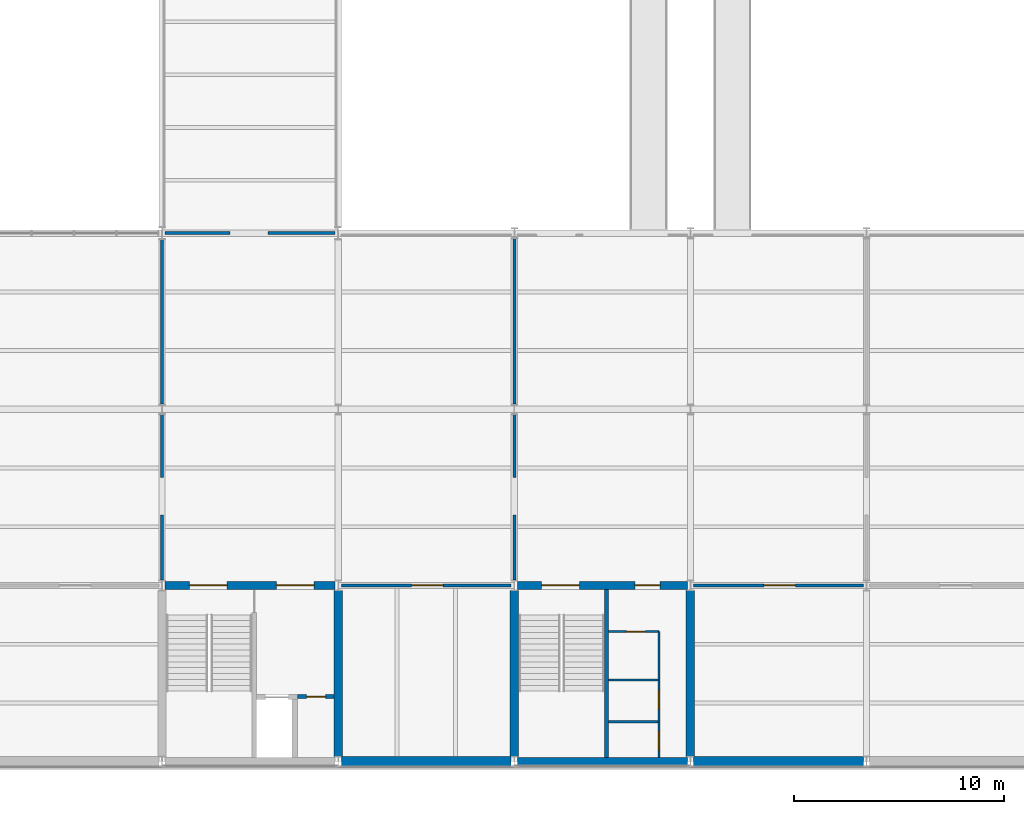
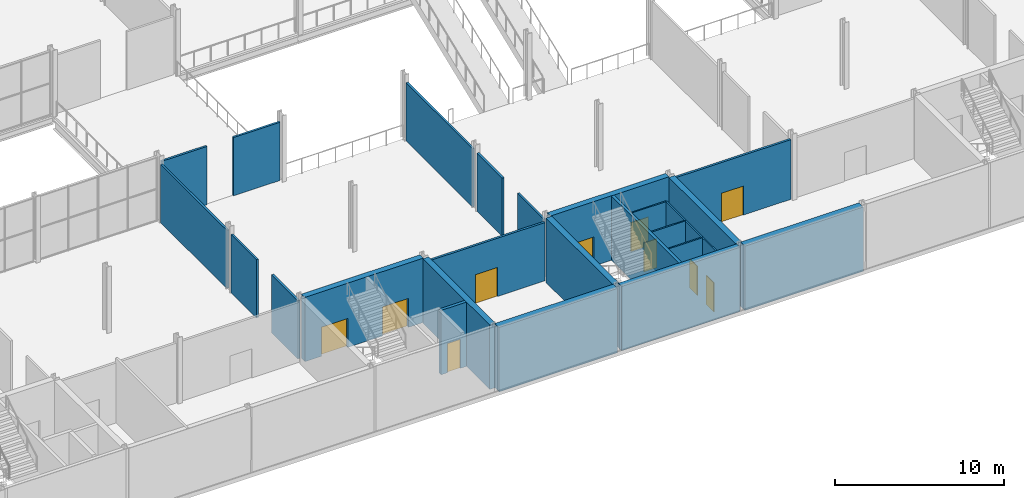
# One storey, part 36 of 61: 26 walls, 10 doors, 10 openings.
"""IFC4 building model written with IfcOpenShell, lengths in metres."""

import ifcopenshell
import ifcopenshell.guid

model = None  # the IFC model being written
_history = None  # IfcOwnerHistory: only IFC2X3 demands one
_inside = {}  # id of a spatial element -> (the spatial element, [elements in it])
_under = {}  # id of a project, library or spatial element -> (it, [spatial elements below it])
_declared = {}  # id of a project -> (the project, [libraries it declares])
_typed = {}  # id of a type object -> (the type object, [elements of that type])
_made_of = {}  # id of a material, layer set ... -> (it, [elements and type objects made of it])


def new_model(schema):
    """Start an empty IFC model of exactly this schema.

    Asked for "IFC4X3", IfcOpenShell would pick the latest addendum, in which some entities
    have other attributes; the version numbers below select the first issue.
    IFC2X3 requires an IfcOwnerHistory on every rooted entity: one is made here for all.
    """
    global model, _history
    if schema == "IFC4X3":
        model = ifcopenshell.file(schema_version=(4, 3, 0, 0))
    else:
        model = ifcopenshell.file(schema=schema)
    _inside.clear()
    _under.clear()
    _declared.clear()
    _typed.clear()
    _made_of.clear()
    _history = None
    if model.schema == "IFC2X3":
        org = make("IfcOrganization", Name="unknown")
        user = make(
            "IfcPersonAndOrganization",
            ThePerson=make("IfcPerson", FamilyName="unknown"),
            TheOrganization=org,
        )
        app = make(
            "IfcApplication",
            ApplicationDeveloper=org,
            Version="unknown",
            ApplicationFullName="unknown",
            ApplicationIdentifier="unknown",
        )
        _history = make(
            "IfcOwnerHistory",
            OwningUser=user,
            OwningApplication=app,
            ChangeAction="ADDED",
            CreationDate=0,
        )
    return model


def make(cls, **values):
    """One entity of the class cls with the attributes given. An attribute that is None is left unset."""
    return model.create_entity(
        cls, **{name: value for name, value in values.items() if value is not None}
    )


def rooted(cls, **values):
    """An entity with a GlobalId (a new one), such as an element, a storey or a relation."""
    return make(cls, GlobalId=ifcopenshell.guid.new(), OwnerHistory=_history, **values)


def si_unit(unit_type, name, prefix=None):
    """IfcSIUnit, for example si_unit("LENGTHUNIT", "METRE", prefix="MILLI")."""
    return make("IfcSIUnit", UnitType=unit_type, Prefix=prefix, Name=name)


def assignment(units):
    """IfcUnitAssignment: the units of a project."""
    return None if units is None else make("IfcUnitAssignment", Units=units)


def point(xyz):
    """IfcCartesianPoint."""
    return None if xyz is None else make("IfcCartesianPoint", Coordinates=xyz)


def direction(xyz):
    """IfcDirection."""
    return None if xyz is None else make("IfcDirection", DirectionRatios=xyz)


def frame(location, z_axis=None, x_axis=None):
    """IfcAxis2Placement3D, a coordinate frame: its origin and axes. An axis left out is left unset."""
    return make(
        "IfcAxis2Placement3D",
        Location=point(location),
        Axis=direction(z_axis),
        RefDirection=direction(x_axis),
    )


def frame_2d(location, x_axis=None):
    """IfcAxis2Placement2D, a coordinate frame in the plane: its origin and x axis."""
    return make(
        "IfcAxis2Placement2D", Location=point(location), RefDirection=direction(x_axis)
    )


def origin():
    """The frame at (0, 0, 0) with its axes left unset."""
    return frame((0.0, 0.0, 0.0))


def place(relative_to, where):
    """IfcLocalPlacement: puts the frame where relative to a parent placement (None: the world)."""
    return make(
        "IfcLocalPlacement", PlacementRelTo=relative_to, RelativePlacement=where
    )


def context(
    kind, dimensions, precision=None, world=None, true_north=None, identifier=None
):
    """IfcGeometricRepresentationContext, for example the 3D "Model" context."""
    return make(
        "IfcGeometricRepresentationContext",
        ContextIdentifier=identifier,
        ContextType=kind,
        CoordinateSpaceDimension=dimensions,
        Precision=precision,
        WorldCoordinateSystem=world,
        TrueNorth=true_north,
    )


def subcontext(parent, identifier, kind, view, scale=None):
    """IfcGeometricRepresentationSubContext, for example "Body" below "Model"."""
    return make(
        "IfcGeometricRepresentationSubContext",
        ContextIdentifier=identifier,
        ContextType=kind,
        ParentContext=parent,
        TargetScale=scale,
        TargetView=view,
    )


def project(units=None, contexts=None):
    """IfcProject with its units and contexts."""
    return rooted(
        "IfcProject",
        Name="project",
        RepresentationContexts=contexts,
        UnitsInContext=assignment(units),
    )


def spatial(cls, under=None, at=None, **own):
    """A site, building, storey or space (cls), placed at a placement, below another one or the project."""
    s = rooted(cls, ObjectPlacement=at, **own)
    if under is not None:
        _under.setdefault(under.id(), (under, []))[1].append(s)
    return s


def profile(cls, at=None, kind="AREA", **sizes):
    """A parametric profile (cls). Its sizes go by their IFC names, for example OverallWidth=200.0."""
    return make(cls, ProfileType=kind, Position=at, **sizes)


def rectangle(**sizes):
    """IfcRectangleProfileDef."""
    return profile("IfcRectangleProfileDef", **sizes)


def extrude(swept, where, along, depth):
    """IfcExtrudedAreaSolid: the profile swept, set in the frame where, extruded along a direction by depth."""
    return make(
        "IfcExtrudedAreaSolid",
        SweptArea=swept,
        Position=where,
        ExtrudedDirection=direction(along),
        Depth=depth,
    )


def shape(context_of_items, identifier, shape_type, items):
    """IfcShapeRepresentation: the items that make up one representation, for example the "Body"."""
    return make(
        "IfcShapeRepresentation",
        ContextOfItems=context_of_items,
        RepresentationIdentifier=identifier,
        RepresentationType=shape_type,
        Items=items,
    )


def material(Name=None, Category=None):
    """IfcMaterial."""
    return make("IfcMaterial", Name=Name, Category=Category)


def layer(
    of_material, thickness, ventilated=None, Name=None, Category=None, Priority=None
):
    """IfcMaterialLayer: one layer of a wall or slab, of a material (None: an air gap)."""
    return make(
        "IfcMaterialLayer",
        Material=of_material,
        LayerThickness=thickness,
        IsVentilated=ventilated,
        Name=Name,
        Category=Category,
        Priority=Priority,
    )


def layer_set(layers, Name=None):
    """IfcMaterialLayerSet."""
    return make("IfcMaterialLayerSet", MaterialLayers=layers, LayerSetName=Name)


def made_of(thing, what):
    """Note that an element or type object is made of a material, layer set ...; save() writes the relation."""
    if what is not None:
        _made_of.setdefault(what.id(), (what, []))[1].append(thing)
    return thing


def type_object(cls, material=None, **own):
    """A type object (cls), such as IfcWallType, which elements share."""
    return made_of(rooted(cls, **own), material)


def element(
    cls,
    number,
    at=None,
    inside=None,
    cuts=None,
    type_object=None,
    material=None,
    context=None,
    identifier="Body",
    shape_type=None,
    held_by="IfcProductDefinitionShape",
    body=None,
    shapes=None,
    **own,
):
    """One element of the class cls, such as IfcWall. Its Tag is "e" and its number.

    at: its placement. inside: the storey or other place that contains it. cuts: it is an
    opening in that element (IfcRelVoidsElement). A single representation is given by context,
    identifier, shape_type and body (its items); several are given by shapes. held_by: the class
    of the entity that holds the representations. save() writes the other relations.
    """
    e = rooted(cls, Tag="e%d" % number, ObjectPlacement=at, **own)
    if body is not None:
        shapes = [shape(context, identifier, shape_type, body)]
    if shapes is not None:
        e.Representation = make(held_by, Representations=shapes)
    if inside is not None:
        _inside.setdefault(inside.id(), (inside, []))[1].append(e)
    if cuts is not None:
        rooted(
            "IfcRelVoidsElement", RelatingBuildingElement=cuts, RelatedOpeningElement=e
        )
    if type_object is not None:
        _typed.setdefault(type_object.id(), (type_object, []))[1].append(e)
    return made_of(e, material)


def fill(opening, filler):
    """IfcRelFillsElement: the door or window that sits in an opening."""
    return rooted(
        "IfcRelFillsElement",
        RelatingOpeningElement=opening,
        RelatedBuildingElement=filler,
    )


def aggregate(whole, parts):
    """IfcRelAggregates: a whole, such as a stair, and the parts it consists of."""
    return rooted("IfcRelAggregates", RelatingObject=whole, RelatedObjects=parts)


def save(model, path):
    """Write the relations noted so far, then the file.

    IfcRelAggregates (storeys below a building ...), IfcRelContainedInSpatialStructure (elements
    in a storey), IfcRelDefinesByType, IfcRelAssociatesMaterial and IfcRelDeclares: one each for
    every whole, place, type object, material and project.
    """
    for whole, parts in _under.values():
        aggregate(whole, parts)
    for where, things in _inside.values():
        rooted(
            "IfcRelContainedInSpatialStructure",
            RelatedElements=things,
            RelatingStructure=where,
        )
    for kind, things in _typed.values():
        rooted("IfcRelDefinesByType", RelatedObjects=things, RelatingType=kind)
    for what, things in _made_of.values():
        rooted("IfcRelAssociatesMaterial", RelatedObjects=things, RelatingMaterial=what)
    for by, libraries in _declared.values():
        rooted("IfcRelDeclares", RelatingContext=by, RelatedDefinitions=libraries)
    model.write(path)


model = new_model("IFC4")

# Units and contexts
model_context = context("Model", 3, precision=1e-05, world=origin(), true_north=direction((0.0, 1.0)))
body_context = subcontext(model_context, "Body", "Model", "MODEL_VIEW")
ifc_project = project(units=[si_unit("LENGTHUNIT", "METRE"), si_unit("AREAUNIT", "SQUARE_METRE"), si_unit("VOLUMEUNIT", "CUBIC_METRE"), si_unit("PLANEANGLEUNIT", "RADIAN"), si_unit("MASSUNIT", "GRAM", prefix="KILO")], contexts=[model_context])

# Site, building, storey
site_placement = place(None, origin())
site = spatial("IfcSite", under=ifc_project, at=site_placement, CompositionType="ELEMENT")
building_placement = place(site_placement, origin())
building = spatial("IfcBuilding", under=site, at=building_placement, Name="Galleria Vessillo Department Store", CompositionType="ELEMENT")
storey_placement = place(building_placement, frame((0.0, 0.0, 11.39990234375)))
storey = spatial("IfcBuildingStorey", under=building, at=storey_placement, Name="L02", CompositionType="ELEMENT", Elevation=11.39990234375)

# Wall, openings, doors
ifc_material_1 = material(Name="Concrete C32/40 reinforced", Category="concrete")
ifc_layer_1 = layer(ifc_material_1, 0.39990234375)
ifc_layer_set_1 = layer_set([ifc_layer_1], Name="Concrete C32/40 reinforced")
wall_type_1 = type_object("IfcWallType", Name="Reinforced concrete core wall 400 mm", PredefinedType="SHEAR", material=ifc_layer_set_1)
wall_1_placement = place(storey_placement, frame((33.75, 8.39990234375, 0.0), z_axis=(0.0, 0.0, 1.0), x_axis=(1.0, 0.0, 0.0)))
wall_1 = element("IfcWall", 1, at=wall_1_placement, inside=storey, type_object=wall_type_1, Name="S-CW-PC-SM-INTERIOR-L02", PredefinedType="SHEAR", context=body_context, shape_type="SweptSolid", body=[
    extrude(rectangle(XDim=8.10009765625, YDim=0.39990234375, at=frame_2d((4.050048828125, 0.0))), origin(), (0.0, 0.0, 1.0), 4.650146484375),
])
opening_1_placement = place(wall_1_placement, frame((1.14990234375, 0.0, 0.0)))
opening_1 = element("IfcOpeningElement", 2, at=opening_1_placement, cuts=wall_1, Name="Opening D5082", PredefinedType="OPENING", context=body_context, shape_type="SweptSolid", body=[
    extrude(rectangle(XDim=1.800048828125, YDim=2.10009765625, at=frame_2d((0.89990234375, 1.050048828125))), frame((0.0, 0.2099609375, 0.0), z_axis=(0.0, -1.0, 0.0), x_axis=(1.0, 0.0, 0.0)), (0.0, 0.0, 1.0), 0.419921875),
])
opening_2_placement = place(wall_1_placement, frame((5.2998046875, 0.0, 0.0)))
opening_2 = element("IfcOpeningElement", 3, at=opening_2_placement, cuts=wall_1, Name="Opening D5083", PredefinedType="OPENING", context=body_context, shape_type="SweptSolid", body=[
    extrude(rectangle(XDim=1.800048828125, YDim=2.10009765625, at=frame_2d((0.89990234375, 1.050048828125))), frame((0.0, 0.2099609375, 0.0), z_axis=(0.0, -1.0, 0.0), x_axis=(1.0, 0.0, 0.0)), (0.0, 0.0, 1.0), 0.419921875),
])
ifc_material_2 = material(Name="Fire-rated steel door leaf", Category="steel")
door_type_1 = type_object("IfcDoorType", Name="Door D180F double leaf 1800 x 2100", OperationType="DOUBLE_DOOR_SINGLE_SWING", PredefinedType="DOOR", material=ifc_material_2)
door_1_placement = place(opening_1_placement, frame((1.800048828125, 0.0, 0.0), z_axis=(0.0, 0.0, 1.0), x_axis=(-1.0, 0.0, 0.0)))
door_1 = element("IfcDoor", 4, at=door_1_placement, inside=storey, type_object=door_type_1, Name="Lobby door PC-SM-ST-FLOOR L02", OperationType="DOUBLE_DOOR_SINGLE_SWING", OverallHeight=2.10009765625, OverallWidth=1.800048828125, PredefinedType="DOOR", context=body_context, shape_type="SweptSolid", body=[
    extrude(rectangle(XDim=1.800048828125, YDim=2.10009765625, at=frame_2d((0.89990234375, 1.050048828125))), frame((0.0, 0.02490234375, 0.0), z_axis=(0.0, -1.0, 0.0), x_axis=(1.0, 0.0, 0.0)), (0.0, 0.0, 1.0), 0.050048828125),
])
fill(opening_1, door_1)
door_2_placement = place(opening_2_placement, frame((1.800048828125, 0.0, 0.0), z_axis=(0.0, 0.0, 1.0), x_axis=(-1.0, 0.0, 0.0)))
door_2 = element("IfcDoor", 5, at=door_2_placement, inside=storey, type_object=door_type_1, Name="Lobby door PC-SM-LOBBY-FLOOR L02", OperationType="DOUBLE_DOOR_SINGLE_SWING", OverallHeight=2.10009765625, OverallWidth=1.800048828125, PredefinedType="DOOR", context=body_context, shape_type="SweptSolid", body=[
    extrude(rectangle(XDim=1.800048828125, YDim=2.10009765625, at=frame_2d((0.89990234375, 1.050048828125))), frame((0.0, 0.02490234375, 0.0), z_axis=(0.0, -1.0, 0.0), x_axis=(1.0, 0.0, 0.0)), (0.0, 0.0, 1.0), 0.050048828125),
])
fill(opening_2, door_2)

# Wall
wall_2_placement = place(storey_placement, frame((42.0, 0.25, 0.0), z_axis=(0.0, 0.0, 1.0), x_axis=(0.0, 1.0, 0.0)))
element("IfcWall", 6, at=wall_2_placement, inside=storey, type_object=wall_type_1, Name="S-CW-PC-SM-EAST-L02", PredefinedType="SHEAR", context=body_context, shape_type="SweptSolid", body=[
    extrude(rectangle(XDim=7.89990234375, YDim=0.39990234375, at=frame_2d((3.949951171875, 0.0))), origin(), (0.0, 0.0, 1.0), 4.650146484375),
])

# Wall, openings, doors
wall_3_placement = place(storey_placement, frame((50.5498046875, 8.39990234375, 0.0), z_axis=(0.0, 0.0, 1.0), x_axis=(1.0, 0.0, 0.0)))
wall_3 = element("IfcWall", 7, at=wall_3_placement, inside=storey, type_object=wall_type_1, Name="S-CW-PC-SC-INTERIOR-L02", PredefinedType="SHEAR", context=body_context, shape_type="SweptSolid", body=[
    extrude(rectangle(XDim=8.100341796875, YDim=0.39990234375, at=frame_2d((4.05029296875, 0.0))), origin(), (0.0, 0.0, 1.0), 4.650146484375),
])
opening_3_placement = place(wall_3_placement, frame((1.150146484375, 0.0, 0.0)))
opening_3 = element("IfcOpeningElement", 8, at=opening_3_placement, cuts=wall_3, Name="Opening D5196", PredefinedType="OPENING", context=body_context, shape_type="SweptSolid", body=[
    extrude(rectangle(XDim=1.800048828125, YDim=2.10009765625, at=frame_2d((0.89990234375, 1.050048828125))), frame((0.0, 0.2099609375, 0.0), z_axis=(0.0, -1.0, 0.0), x_axis=(1.0, 0.0, 0.0)), (0.0, 0.0, 1.0), 0.419921875),
])
opening_4_placement = place(wall_3_placement, frame((5.60009765625, 0.0, 0.0)))
opening_4 = element("IfcOpeningElement", 9, at=opening_4_placement, cuts=wall_3, Name="Opening D5197", PredefinedType="OPENING", context=body_context, shape_type="SweptSolid", body=[
    extrude(rectangle(XDim=1.199951171875, YDim=2.10009765625, at=frame_2d((0.60009765625, 1.050048828125))), frame((0.0, 0.2099609375, 0.0), z_axis=(0.0, -1.0, 0.0), x_axis=(1.0, 0.0, 0.0)), (0.0, 0.0, 1.0), 0.419921875),
])
ifc_material_3 = material(Name="Fire-rated steel door leaf", Category="steel")
door_type_2 = type_object("IfcDoorType", Name="Door D120F fire door 1200 x 2100", OperationType="SINGLE_SWING_LEFT", PredefinedType="DOOR", material=ifc_material_3)
door_3_placement = place(opening_4_placement, frame((1.199951171875, 0.0, 0.0), z_axis=(0.0, 0.0, 1.0), x_axis=(-1.0, 0.0, 0.0)))
door_3 = element("IfcDoor", 10, at=door_3_placement, inside=storey, type_object=door_type_2, Name="Lobby door PC-SC-WC-FLOOR L02", OperationType="SINGLE_SWING_LEFT", OverallHeight=2.10009765625, OverallWidth=1.199951171875, PredefinedType="DOOR", context=body_context, shape_type="SweptSolid", body=[
    extrude(rectangle(XDim=1.199951171875, YDim=2.10009765625, at=frame_2d((0.60009765625, 1.050048828125))), frame((0.0, 0.02490234375, 0.0), z_axis=(0.0, -1.0, 0.0), x_axis=(1.0, 0.0, 0.0)), (0.0, 0.0, 1.0), 0.050048828125),
])
fill(opening_4, door_3)
door_4_placement = place(opening_3_placement, frame((1.800048828125, 0.0, 0.0), z_axis=(0.0, 0.0, 1.0), x_axis=(-1.0, 0.0, 0.0)))
door_4 = element("IfcDoor", 11, at=door_4_placement, inside=storey, type_object=door_type_1, Name="Lobby door PC-SC-ST-FLOOR L02", OperationType="DOUBLE_DOOR_SINGLE_SWING", OverallHeight=2.10009765625, OverallWidth=1.800048828125, PredefinedType="DOOR", context=body_context, shape_type="SweptSolid", body=[
    extrude(rectangle(XDim=1.800048828125, YDim=2.10009765625, at=frame_2d((0.89990234375, 1.050048828125))), frame((0.0, 0.02490234375, 0.0), z_axis=(0.0, -1.0, 0.0), x_axis=(1.0, 0.0, 0.0)), (0.0, 0.0, 1.0), 0.050048828125),
])
fill(opening_3, door_4)

# Walls
for number, where, z_axis, x_axis, name in (
    (12, (50.39990234375, 0.25, 0.0), (0.0, 0.0, 1.0), (0.0, 1.0, 0.0), "S-CW-PC-SC-WEST-L02"),
    (13, (58.800048828125, 0.25, 0.0), (0.0, 0.0, 1.0), (0.0, 1.0, 0.0), "S-CW-PC-SC-EAST-L02"),
):
    element("IfcWall", number, at=place(storey_placement, frame(where, z_axis=z_axis, x_axis=x_axis)), inside=storey, type_object=wall_type_1, Name=name, PredefinedType="SHEAR", context=body_context, shape_type="SweptSolid", body=[
        extrude(rectangle(XDim=7.89990234375, YDim=0.39990234375, at=frame_2d((3.949951171875, 0.0))), origin(), (0.0, 0.0, 1.0), 4.650146484375),
    ])
ifc_material_4 = material(Name="Concrete C32/40 reinforced", Category="concrete")
ifc_layer_2 = layer(ifc_material_4, 0.39990234375)
ifc_layer_set_2 = layer_set([ifc_layer_2], Name="Concrete C32/40 reinforced")
wall_type_2 = type_object("IfcWallType", Name="Reinforced concrete core wall 400 mm, external", PredefinedType="SHEAR", material=ifc_layer_set_2)
wall_4_placement = place(storey_placement, frame((50.5498046875, 0.0, 0.0), z_axis=(0.0, 0.0, 1.0), x_axis=(1.0, 0.0, 0.0)))
element("IfcWall", 14, at=wall_4_placement, inside=storey, type_object=wall_type_2, Name="S-CW-PC-SC-PARTY-L02", PredefinedType="SHEAR", context=body_context, shape_type="SweptSolid", body=[
    extrude(rectangle(XDim=8.100341796875, YDim=0.39990234375, at=frame_2d((4.05029296875, 0.0))), origin(), (0.0, 0.0, 1.0), 4.650146484375),
])
ifc_material_5 = material(Name="Concrete C32/40 reinforced", Category="concrete")
ifc_layer_3 = layer(ifc_material_5, 0.5)
ifc_layer_set_3 = layer_set([ifc_layer_3], Name="Concrete C32/40 reinforced")
wall_type_3 = type_object("IfcWallType", Name="Reinforced concrete party wall 500 mm", PredefinedType="SHEAR", material=ifc_layer_set_3)
for number, where, z_axis, x_axis, name in (
    (15, (42.14990234375, 0.0, 0.0), (0.0, 0.0, 1.0), (1.0, 0.0, 0.0), "S-PS-L02-04"),
    (16, (58.949951171875, 0.0, 0.0), (0.0, 0.0, 1.0), (1.0, 0.0, 0.0), "S-PS-L02-05"),
):
    element("IfcWall", number, at=place(storey_placement, frame(where, z_axis=z_axis, x_axis=x_axis)), inside=storey, type_object=wall_type_3, Name=name, PredefinedType="SHEAR", context=body_context, shape_type="SweptSolid", body=[
        extrude(rectangle(XDim=8.10009765625, YDim=0.5, at=frame_2d((4.050048828125, 0.0))), origin(), (0.0, 0.0, 1.0), 4.650146484375),
    ])
ifc_material_6 = material(Name="Concrete C32/40 reinforced", Category="concrete")
ifc_layer_4 = layer(ifc_material_6, 0.199951171875)
ifc_layer_set_4 = layer_set([ifc_layer_4], Name="Concrete C32/40 reinforced")
wall_type_4 = type_object("IfcWallType", Name="Reinforced concrete stair enclosure wall 200 mm", PredefinedType="SHEAR", material=ifc_layer_set_4)
wall_5_placement = place(storey_placement, frame((54.7998046875, 0.199951171875, 0.0), z_axis=(0.0, 0.0, 1.0), x_axis=(0.0, 1.0, 0.0)))
element("IfcWall", 17, at=wall_5_placement, inside=storey, type_object=wall_type_4, Name="Stair enclosure wall PC-SC L02", PredefinedType="SHEAR", context=body_context, shape_type="SweptSolid", body=[
    extrude(rectangle(XDim=8.0, YDim=0.199951171875, at=frame_2d((4.0, 0.0))), origin(), (0.0, 0.0, 1.0), 4.650146484375),
])

# Wall, opening, door
ifc_material_7 = material(Name="Hollow clay block masonry", Category="masonry")
ifc_layer_5 = layer(ifc_material_7, 0.199951171875)
ifc_layer_set_5 = layer_set([ifc_layer_5], Name="Hollow clay block masonry")
wall_type_5 = type_object("IfcWallType", Name="Riser and service room wall 200 mm", PredefinedType="PARTITIONING", material=ifc_layer_set_5)
wall_6_placement = place(storey_placement, frame((40.050048828125, 3.099853515625, 0.0), z_axis=(0.0, 0.0, 1.0), x_axis=(1.0, 0.0, 0.0)))
wall_6 = element("IfcWall", 18, at=wall_6_placement, inside=storey, type_object=wall_type_5, Name="Riser wall PC-SM-RISER L02", PredefinedType="PARTITIONING", context=body_context, shape_type="SweptSolid", body=[
    extrude(rectangle(XDim=1.75, YDim=0.199951171875, at=frame_2d((0.875, 0.0))), origin(), (0.0, 0.0, 1.0), 4.650146484375),
])
opening_5_placement = place(wall_6_placement, frame((0.449951171875, 0.0, 0.0)))
opening_5 = element("IfcOpeningElement", 19, at=opening_5_placement, cuts=wall_6, Name="Opening D5081", PredefinedType="OPENING", context=body_context, shape_type="SweptSolid", body=[
    extrude(rectangle(XDim=0.89990234375, YDim=2.10009765625, at=frame_2d((0.449951171875, 1.050048828125))), frame((0.0, 0.10986328125, 0.0), z_axis=(0.0, -1.0, 0.0), x_axis=(1.0, 0.0, 0.0)), (0.0, 0.0, 1.0), 0.219970703125),
])
ifc_material_8 = material(Name="Fire-rated steel door leaf", Category="steel")
door_type_3 = type_object("IfcDoorType", Name="Door DR90 riser access 900 x 2100", OperationType="SINGLE_SWING_LEFT", PredefinedType="DOOR", material=ifc_material_8)
door_5_placement = place(opening_5_placement, frame((0.89990234375, 0.0, 0.0), z_axis=(0.0, 0.0, 1.0), x_axis=(-1.0, 0.0, 0.0)))
door_5 = element("IfcDoor", 20, at=door_5_placement, inside=storey, type_object=door_type_3, Name="Riser door PC-SM-RISER-D L02", OperationType="SINGLE_SWING_LEFT", OverallHeight=2.10009765625, OverallWidth=0.89990234375, PredefinedType="DOOR", context=body_context, shape_type="SweptSolid", body=[
    extrude(rectangle(XDim=0.89990234375, YDim=2.10009765625, at=frame_2d((0.449951171875, 1.050048828125))), frame((0.0, 0.02490234375, 0.0), z_axis=(0.0, -1.0, 0.0), x_axis=(1.0, 0.0, 0.0)), (0.0, 0.0, 1.0), 0.050048828125),
])
fill(opening_5, door_5)

# Walls
ifc_material_9 = material(Name="Gypsum board partition")
ifc_layer_6 = layer(ifc_material_9, 0.139892578125)
ifc_layer_set_6 = layer_set([ifc_layer_6], Name="Gypsum board partition")
wall_type_6 = type_object("IfcWallType", Name="Sales dividing wall 140 mm", PredefinedType="PARTITIONING", material=ifc_layer_set_6)
wall_7_placement = place(storey_placement, frame((33.60009765625, 8.64990234375, 0.0), z_axis=(0.0, 0.0, 1.0), x_axis=(0.0, 1.0, 0.0)))
element("IfcWall", 21, at=wall_7_placement, inside=storey, type_object=wall_type_6, Name="Partition wall PT3 on L02 no. 040", PredefinedType="PARTITIONING", context=body_context, shape_type="SweptSolid", body=[
    extrude(rectangle(XDim=3.10009765625, YDim=0.139892578125, at=frame_2d((1.550048828125, 0.0))), origin(), (0.0, 0.0, 1.0), 4.210205078125),
])
wall_8_placement = place(storey_placement, frame((33.60009765625, 13.5498046875, 0.0), z_axis=(0.0, 0.0, 1.0), x_axis=(0.0, 1.0, 0.0)))
element("IfcWall", 22, at=wall_8_placement, inside=storey, type_object=wall_type_6, Name="Partition wall PT3 on L02 no. 041", PredefinedType="PARTITIONING", context=body_context, shape_type="SweptSolid", body=[
    extrude(rectangle(XDim=3.000244140625, YDim=0.139892578125, at=frame_2d((1.5, 0.0))), origin(), (0.0, 0.0, 1.0), 4.210205078125),
])
wall_9_placement = place(storey_placement, frame((33.60009765625, 17.050048828125, 0.0), z_axis=(0.0, 0.0, 1.0), x_axis=(0.0, 1.0, 0.0)))
element("IfcWall", 23, at=wall_9_placement, inside=storey, type_object=wall_type_6, Name="Partition wall PT3 on L02 no. 042", PredefinedType="PARTITIONING", context=body_context, shape_type="SweptSolid", body=[
    extrude(rectangle(XDim=7.83984375, YDim=0.139892578125, at=frame_2d((3.919921875, 0.0))), origin(), (0.0, 0.0, 1.0), 4.210205078125),
])
wall_10_placement = place(storey_placement, frame((50.39990234375, 8.64990234375, 0.0), z_axis=(0.0, 0.0, 1.0), x_axis=(0.0, 1.0, 0.0)))
element("IfcWall", 24, at=wall_10_placement, inside=storey, type_object=wall_type_6, Name="Partition wall PT3 on L02 no. 043", PredefinedType="PARTITIONING", context=body_context, shape_type="SweptSolid", body=[
    extrude(rectangle(XDim=3.10009765625, YDim=0.139892578125, at=frame_2d((1.550048828125, 0.0))), origin(), (0.0, 0.0, 1.0), 4.210205078125),
])
wall_11_placement = place(storey_placement, frame((50.39990234375, 13.5498046875, 0.0), z_axis=(0.0, 0.0, 1.0), x_axis=(0.0, 1.0, 0.0)))
element("IfcWall", 25, at=wall_11_placement, inside=storey, type_object=wall_type_6, Name="Partition wall PT3 on L02 no. 044", PredefinedType="PARTITIONING", context=body_context, shape_type="SweptSolid", body=[
    extrude(rectangle(XDim=3.000244140625, YDim=0.139892578125, at=frame_2d((1.5, 0.0))), origin(), (0.0, 0.0, 1.0), 4.210205078125),
])
wall_12_placement = place(storey_placement, frame((50.39990234375, 17.050048828125, 0.0), z_axis=(0.0, 0.0, 1.0), x_axis=(0.0, 1.0, 0.0)))
element("IfcWall", 26, at=wall_12_placement, inside=storey, type_object=wall_type_6, Name="Partition wall PT3 on L02 no. 045", PredefinedType="PARTITIONING", context=body_context, shape_type="SweptSolid", body=[
    extrude(rectangle(XDim=7.887939453125, YDim=0.139892578125, at=frame_2d((3.94384765625, 0.0))), origin(), (0.0, 0.0, 1.0), 4.210205078125),
])
wall_13_placement = place(storey_placement, frame((33.752685546875, 25.199951171875, 0.0), z_axis=(0.0, 0.0, 1.0), x_axis=(1.0, 0.0, 0.0)))
element("IfcWall", 27, at=wall_13_placement, inside=storey, type_object=wall_type_6, Name="Partition wall PT3 on L02 no. 046", PredefinedType="PARTITIONING", context=body_context, shape_type="SweptSolid", body=[
    extrude(rectangle(XDim=3.099853515625, YDim=0.139892578125, at=frame_2d((1.5498046875, 0.0))), origin(), (0.0, 0.0, 1.0), 4.210205078125),
])
wall_14_placement = place(storey_placement, frame((38.652587890625, 25.199951171875, 0.0), z_axis=(0.0, 0.0, 1.0), x_axis=(1.0, 0.0, 0.0)))
element("IfcWall", 28, at=wall_14_placement, inside=storey, type_object=wall_type_6, Name="Partition wall PT3 on L02 no. 047", PredefinedType="PARTITIONING", context=body_context, shape_type="SweptSolid", body=[
    extrude(rectangle(XDim=3.19482421875, YDim=0.139892578125, at=frame_2d((1.597412109375, 0.0))), origin(), (0.0, 0.0, 1.0), 4.210205078125),
])

# Wall, opening, door
ifc_material_10 = material(Name="Concrete blockwork", Category="masonry")
ifc_layer_7 = layer(ifc_material_10, 0.14990234375)
ifc_layer_set_7 = layer_set([ifc_layer_7], Name="Concrete blockwork")
wall_type_7 = type_object("IfcWallType", Name="Stockroom blockwork wall 150 mm", PredefinedType="SOLIDWALL", material=ifc_layer_set_7)
wall_15_placement = place(storey_placement, frame((42.14990234375, 8.39990234375, 0.0), z_axis=(0.0, 0.0, 1.0), x_axis=(1.0, 0.0, 0.0)))
wall_15 = element("IfcWall", 29, at=wall_15_placement, inside=storey, type_object=wall_type_7, Name="Partition wall PT4 on L02 no. 017", PredefinedType="SOLIDWALL", context=body_context, shape_type="SweptSolid", body=[
    extrude(rectangle(XDim=8.10009765625, YDim=0.14990234375, at=frame_2d((4.050048828125, 0.0))), origin(), (0.0, 0.0, 1.0), 4.210205078125),
])
opening_6_placement = place(wall_15_placement, frame((3.35009765625, 0.0, 0.0)))
opening_6 = element("IfcOpeningElement", 30, at=opening_6_placement, cuts=wall_15, Name="Opening D2409", PredefinedType="OPENING", context=body_context, shape_type="SweptSolid", body=[
    extrude(rectangle(XDim=1.5, YDim=2.10009765625, at=frame_2d((0.75, 1.050048828125))), frame((0.0, 0.0849609375, 0.0), z_axis=(0.0, -1.0, 0.0), x_axis=(1.0, 0.0, 0.0)), (0.0, 0.0, 1.0), 0.169921875),
])
ifc_material_11 = material(Name="Steel fire door leaf", Category="steel")
door_type_4 = type_object("IfcDoorType", Name="Stockroom fire door 1500 double leaf", OperationType="DOUBLE_DOOR_SINGLE_SWING", PredefinedType="DOOR", material=ifc_material_11)
door_6_placement = place(opening_6_placement, frame((1.5, 0.0, 0.0), z_axis=(0.0, 0.0, 1.0), x_axis=(-1.0, 0.0, 0.0)))
door_6 = element("IfcDoor", 31, at=door_6_placement, inside=storey, type_object=door_type_4, Name="Door D2409", OperationType="DOUBLE_DOOR_SINGLE_SWING", OverallHeight=2.10009765625, OverallWidth=1.5, PredefinedType="DOOR", context=body_context, shape_type="SweptSolid", body=[
    extrude(rectangle(XDim=1.5, YDim=2.10009765625, at=frame_2d((0.75, 1.050048828125))), frame((0.0, 0.02490234375, 0.0), z_axis=(0.0, -1.0, 0.0), x_axis=(1.0, 0.0, 0.0)), (0.0, 0.0, 1.0), 0.050048828125),
])
fill(opening_6, door_6)

wall_16_placement = place(storey_placement, frame((58.949951171875, 8.39990234375, 0.0), z_axis=(0.0, 0.0, 1.0), x_axis=(1.0, 0.0, 0.0)))
wall_16 = element("IfcWall", 32, at=wall_16_placement, inside=storey, type_object=wall_type_7, Name="Partition wall PT4 on L02 no. 018", PredefinedType="SOLIDWALL", context=body_context, shape_type="SweptSolid", body=[
    extrude(rectangle(XDim=8.10009765625, YDim=0.14990234375, at=frame_2d((4.050048828125, 0.0))), origin(), (0.0, 0.0, 1.0), 4.320068359375),
])
opening_7_placement = place(wall_16_placement, frame((3.35009765625, 0.0, 0.0)))
opening_7 = element("IfcOpeningElement", 33, at=opening_7_placement, cuts=wall_16, Name="Opening D2410", PredefinedType="OPENING", context=body_context, shape_type="SweptSolid", body=[
    extrude(rectangle(XDim=1.5, YDim=2.10009765625, at=frame_2d((0.75, 1.050048828125))), frame((0.0, 0.0849609375, 0.0), z_axis=(0.0, -1.0, 0.0), x_axis=(1.0, 0.0, 0.0)), (0.0, 0.0, 1.0), 0.169921875),
])
door_7_placement = place(opening_7_placement, frame((1.5, 0.0, 0.0), z_axis=(0.0, 0.0, 1.0), x_axis=(-1.0, 0.0, 0.0)))
door_7 = element("IfcDoor", 34, at=door_7_placement, inside=storey, type_object=door_type_4, Name="Door D2410", OperationType="DOUBLE_DOOR_SINGLE_SWING", OverallHeight=2.10009765625, OverallWidth=1.5, PredefinedType="DOOR", context=body_context, shape_type="SweptSolid", body=[
    extrude(rectangle(XDim=1.5, YDim=2.10009765625, at=frame_2d((0.75, 1.050048828125))), frame((0.0, 0.02490234375, 0.0), z_axis=(0.0, -1.0, 0.0), x_axis=(1.0, 0.0, 0.0)), (0.0, 0.0, 1.0), 0.050048828125),
])
fill(opening_7, door_7)

ifc_material_12 = material(Name="Moisture-resistant board partition")
ifc_layer_8 = layer(ifc_material_12, 0.10009765625)
ifc_layer_set_8 = layer_set([ifc_layer_8], Name="Moisture-resistant board partition")
wall_type_8 = type_object("IfcWallType", Name="WC and cubicle partition 100 mm", PredefinedType="PARTITIONING", material=ifc_layer_set_8)
wall_17_placement = place(storey_placement, frame((54.89990234375, 6.199951171875, 0.0), z_axis=(0.0, 0.0, 1.0), x_axis=(1.0, 0.0, 0.0)))
wall_17 = element("IfcWall", 35, at=wall_17_placement, inside=storey, type_object=wall_type_8, Name="Partition wall PT1 on L02 no. 001", PredefinedType="PARTITIONING", context=body_context, shape_type="SweptSolid", body=[
    extrude(rectangle(XDim=2.39990234375, YDim=0.10009765625, at=frame_2d((1.199951171875, 0.0))), origin(), (0.0, 0.0, 1.0), 4.580078125),
])
opening_8_placement = place(wall_17_placement, frame((0.85009765625, 0.0, 0.0)))
opening_8 = element("IfcOpeningElement", 36, at=opening_8_placement, cuts=wall_17, Name="Opening D2401", PredefinedType="OPENING", context=body_context, shape_type="SweptSolid", body=[
    extrude(rectangle(XDim=0.89990234375, YDim=2.10009765625, at=frame_2d((0.449951171875, 1.050048828125))), frame((0.0, 0.06005859375, 0.0), z_axis=(0.0, -1.0, 0.0), x_axis=(1.0, 0.0, 0.0)), (0.0, 0.0, 1.0), 0.1201171875),
])
ifc_material_13 = material(Name="Timber and glass door leaf", Category="wood")
door_type_5 = type_object("IfcDoorType", Name="Floor door 900 single leaf", OperationType="SINGLE_SWING_LEFT", PredefinedType="DOOR", material=ifc_material_13)
door_8_placement = place(opening_8_placement, origin())
door_8 = element("IfcDoor", 37, at=door_8_placement, inside=storey, type_object=door_type_5, Name="Door D2401", OperationType="SINGLE_SWING_LEFT", OverallHeight=2.10009765625, OverallWidth=0.89990234375, PredefinedType="DOOR", context=body_context, shape_type="SweptSolid", body=[
    extrude(rectangle(XDim=0.89990234375, YDim=2.10009765625, at=frame_2d((0.449951171875, 1.050048828125))), frame((0.0, 0.02490234375, 0.0), z_axis=(0.0, -1.0, 0.0), x_axis=(1.0, 0.0, 0.0)), (0.0, 0.0, 1.0), 0.050048828125),
])
fill(opening_8, door_8)

# Wall
wall_18_placement = place(storey_placement, frame((57.2998046875, 3.89990234375, 0.0), z_axis=(0.0, 0.0, 1.0), x_axis=(0.0, 1.0, 0.0)))
element("IfcWall", 38, at=wall_18_placement, inside=storey, type_object=wall_type_8, Name="Partition wall PT1 on L02 no. 002", PredefinedType="PARTITIONING", context=body_context, shape_type="SweptSolid", body=[
    extrude(rectangle(XDim=2.300048828125, YDim=0.10009765625, at=frame_2d((1.14990234375, 0.0))), origin(), (0.0, 0.0, 1.0), 4.580078125),
])

# Wall, opening, door
wall_19_placement = place(storey_placement, frame((57.2998046875, 1.89990234375, 0.0), z_axis=(0.0, 0.0, 1.0), x_axis=(0.0, 1.0, 0.0)))
wall_19 = element("IfcWall", 39, at=wall_19_placement, inside=storey, type_object=wall_type_8, Name="Partition wall PT1 on L02 no. 003", PredefinedType="PARTITIONING", context=body_context, shape_type="SweptSolid", body=[
    extrude(rectangle(XDim=2.0, YDim=0.10009765625, at=frame_2d((1.0, 0.0))), origin(), (0.0, 0.0, 1.0), 4.580078125),
])
opening_9_placement = place(wall_19_placement, frame((0.60009765625, 0.0, 0.0)))
opening_9 = element("IfcOpeningElement", 40, at=opening_9_placement, cuts=wall_19, Name="Opening D2402", PredefinedType="OPENING", context=body_context, shape_type="SweptSolid", body=[
    extrude(rectangle(XDim=0.89990234375, YDim=2.10009765625, at=frame_2d((0.449951171875, 1.050048828125))), frame((0.0, 0.06005859375, 0.0), z_axis=(0.0, -1.0, 0.0), x_axis=(1.0, 0.0, 0.0)), (0.0, 0.0, 1.0), 0.1201171875),
])
door_9_placement = place(opening_9_placement, frame((0.89990234375, 0.0, 0.0), z_axis=(0.0, 0.0, 1.0), x_axis=(-1.0, 0.0, 0.0)))
door_9 = element("IfcDoor", 41, at=door_9_placement, inside=storey, type_object=door_type_5, Name="Door D2402", OperationType="SINGLE_SWING_RIGHT", OverallHeight=2.10009765625, OverallWidth=0.89990234375, PredefinedType="DOOR", context=body_context, shape_type="SweptSolid", body=[
    extrude(rectangle(XDim=0.89990234375, YDim=2.10009765625, at=frame_2d((0.449951171875, 1.050048828125))), frame((0.0, 0.02490234375, 0.0), z_axis=(0.0, -1.0, 0.0), x_axis=(1.0, 0.0, 0.0)), (0.0, 0.0, 1.0), 0.050048828125),
])
fill(opening_9, door_9)

wall_20_placement = place(storey_placement, frame((57.2998046875, 0.199951171875, 0.0), z_axis=(0.0, 0.0, 1.0), x_axis=(0.0, 1.0, 0.0)))
wall_20 = element("IfcWall", 42, at=wall_20_placement, inside=storey, type_object=wall_type_8, Name="Partition wall PT1 on L02 no. 004", PredefinedType="PARTITIONING", context=body_context, shape_type="SweptSolid", body=[
    extrude(rectangle(XDim=1.699951171875, YDim=0.10009765625, at=frame_2d((0.85009765625, 0.0))), origin(), (0.0, 0.0, 1.0), 4.580078125),
])
opening_10_placement = place(wall_20_placement, frame((0.35009765625, 0.0, 0.0)))
opening_10 = element("IfcOpeningElement", 43, at=opening_10_placement, cuts=wall_20, Name="Opening D2403", PredefinedType="OPENING", context=body_context, shape_type="SweptSolid", body=[
    extrude(rectangle(XDim=0.89990234375, YDim=2.10009765625, at=frame_2d((0.449951171875, 1.050048828125))), frame((0.0, 0.06005859375, 0.0), z_axis=(0.0, -1.0, 0.0), x_axis=(1.0, 0.0, 0.0)), (0.0, 0.0, 1.0), 0.1201171875),
])
ifc_material_14 = material(Name="Timber and glass door leaf", Category="wood")
door_type_6 = type_object("IfcDoorType", Name="Accessible WC door 900 sliding", OperationType="SLIDING_TO_LEFT", PredefinedType="DOOR", material=ifc_material_14)
door_10_placement = place(opening_10_placement, origin())
door_10 = element("IfcDoor", 44, at=door_10_placement, inside=storey, type_object=door_type_6, Name="Door D2403", OperationType="SLIDING_TO_RIGHT", OverallHeight=2.10009765625, OverallWidth=0.89990234375, PredefinedType="DOOR", context=body_context, shape_type="SweptSolid", body=[
    extrude(rectangle(XDim=0.89990234375, YDim=2.10009765625, at=frame_2d((0.449951171875, 1.050048828125))), frame((0.0, 0.02490234375, 0.0), z_axis=(0.0, -1.0, 0.0), x_axis=(1.0, 0.0, 0.0)), (0.0, 0.0, 1.0), 0.050048828125),
])
fill(opening_10, door_10)

# Walls
for number, where, z_axis, x_axis, name in (
    (45, (54.89990234375, 3.89990234375, 0.0), (0.0, 0.0, 1.0), (1.0, 0.0, 0.0), "Partition wall PT1 on L02 no. 005"),
    (46, (54.89990234375, 1.89990234375, 0.0), (0.0, 0.0, 1.0), (1.0, 0.0, 0.0), "Partition wall PT1 on L02 no. 006"),
):
    element("IfcWall", number, at=place(storey_placement, frame(where, z_axis=z_axis, x_axis=x_axis)), inside=storey, type_object=wall_type_8, Name=name, PredefinedType="PARTITIONING", context=body_context, shape_type="SweptSolid", body=[
        extrude(rectangle(XDim=2.39990234375, YDim=0.10009765625, at=frame_2d((1.199951171875, 0.0))), origin(), (0.0, 0.0, 1.0), 4.580078125),
    ])

save(model, "model.ifc")
